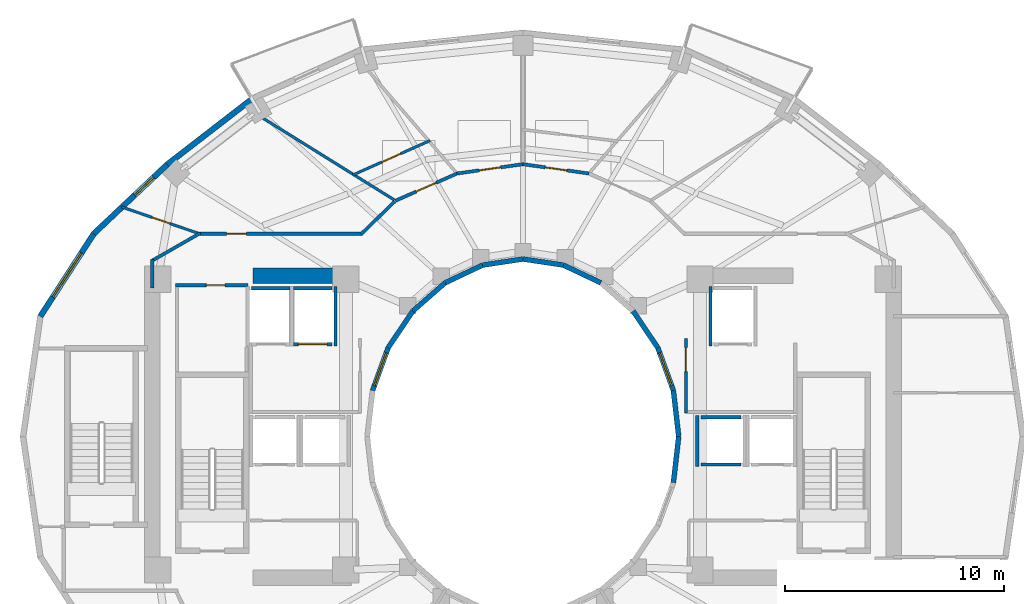
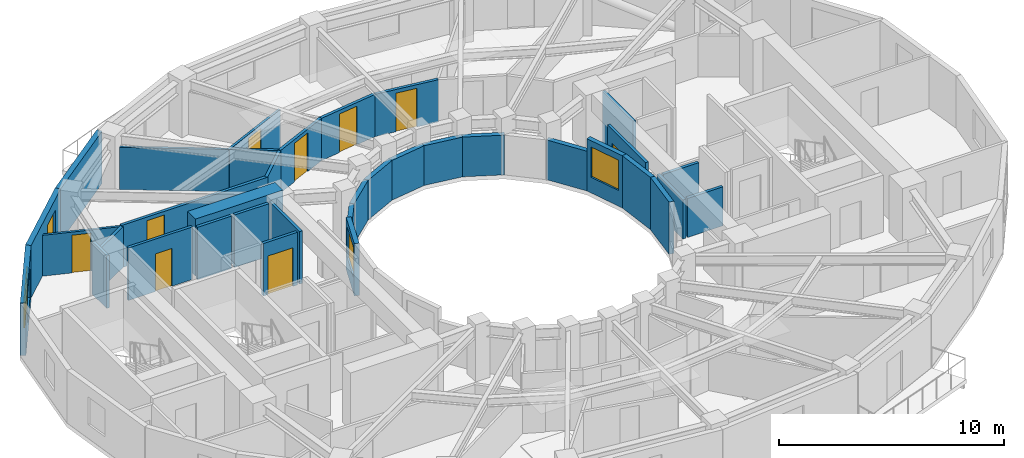
# One storey, part 5 of 10: 35 walls, 9 doors, 4 windows, 13 openings.
"""IFC4 building model written with IfcOpenShell, lengths in metres."""

from ifc_helpers import new_model, si_unit, direction, frame, frame_2d, origin, place, context, subcontext, project, spatial, rectangle, extrude, material, layer, layer_set, type_object, element, fill, save


model = new_model("IFC4")

# Units and contexts
model_context = context("Model", 3, precision=1e-05, world=origin(), true_north=direction((0.0, 1.0)))
body_context = subcontext(model_context, "Body", "Model", "MODEL_VIEW")
ifc_project = project(units=[si_unit("LENGTHUNIT", "METRE"), si_unit("AREAUNIT", "SQUARE_METRE"), si_unit("VOLUMEUNIT", "CUBIC_METRE"), si_unit("PLANEANGLEUNIT", "RADIAN"), si_unit("MASSUNIT", "GRAM", prefix="KILO")], contexts=[model_context])

# Site, building, storey
site_placement = place(None, origin())
site = spatial("IfcSite", under=ifc_project, at=site_placement, CompositionType="ELEMENT")
building_placement = place(site_placement, origin())
building = spatial("IfcBuilding", under=site, at=building_placement, Name="Solvane Sanctuary Tower", CompositionType="ELEMENT")
storey_placement = place(building_placement, frame((0.0, 0.0, 146.699951171875)))
storey = spatial("IfcBuildingStorey", under=building, at=storey_placement, Name="L44", CompositionType="ELEMENT", Elevation=146.699951171875)

# Wall
ifc_material_1 = material(Name="Concrete C60/75", Category="concrete")
ifc_layer_1 = layer(ifc_material_1, 0.699951171875, Name="Concrete C60/75")
ifc_layer_set_1 = layer_set([ifc_layer_1], Name="Concrete C60/75")
wall_type_1 = type_object("IfcWallType", Name="Wall W-CORE-700", PredefinedType="SHEAR", material=ifc_layer_set_1)
wall_1_placement = place(storey_placement, frame((19.64990234375, 30.35009765625, 0.0), z_axis=(0.0, 0.0, 1.0), x_axis=(1.0, 0.0, 0.0)))
element("IfcWall", 1, at=wall_1_placement, inside=storey, type_object=wall_type_1, Name="L44 Core Shear Wall WC-N", PredefinedType="SHEAR", context=body_context, shape_type="SweptSolid", body=[
    extrude(rectangle(XDim=4.5, YDim=0.699951171875, at=frame_2d((2.25, 0.0))), origin(), (0.0, 0.0, 1.0), 3.10009765625),
])

# Wall, opening, door
ifc_material_2 = material(Name="Acoustic Gypsum Partition Board")
ifc_layer_2 = layer(ifc_material_2, 0.14990234375, Name="Acoustic Gypsum Partition Board")
ifc_layer_set_2 = layer_set([ifc_layer_2], Name="Acoustic Gypsum Partition Board")
wall_type_2 = type_object("IfcWallType", Name="Wall W-CORR-150", PredefinedType="PARTITIONING", material=ifc_layer_set_2)
wall_2_placement = place(storey_placement, frame((39.449951171875, 24.080078125, 0.0), z_axis=(0.0, 0.0, 1.0), x_axis=(0.0, 1.0, 0.0)))
wall_2 = element("IfcWall", 2, at=wall_2_placement, inside=storey, type_object=wall_type_2, Name="L44 East Firefighting Lobby West Wall", PredefinedType="PARTITIONING", context=body_context, shape_type="SweptSolid", body=[
    extrude(rectangle(XDim=3.39990234375, YDim=0.14990234375, at=frame_2d((1.699951171875, 0.0))), origin(), (0.0, 0.0, 1.0), 2.85498046875),
])
opening_1_placement = place(wall_2_placement, frame((1.893798828125, 0.0, 0.0)))
opening_1 = element("IfcOpeningElement", 3, at=opening_1_placement, cuts=wall_2, Name="Opening D-L44-09", PredefinedType="OPENING", context=body_context, shape_type="SweptSolid", body=[
    extrude(rectangle(XDim=1.10009765625, YDim=2.10009765625, at=frame_2d((0.550048828125, 1.050048828125))), frame((0.0, 0.0849609375, 0.0), z_axis=(0.0, -1.0, 0.0), x_axis=(1.0, 0.0, 0.0)), (0.0, 0.0, 1.0), 0.169921875),
])
ifc_material_3 = material(Name="Architectural Stainless Steel 316", Category="steel")
door_type_1 = type_object("IfcDoorType", Name="Door D-FFL", OperationType="NOTDEFINED", PredefinedType="DOOR", material=ifc_material_3)
door_1_placement = place(opening_1_placement, origin())
door_1 = element("IfcDoor", 4, at=door_1_placement, inside=storey, type_object=door_type_1, Name="L44 East Firefighting Lobby Fire Door", OperationType="SINGLE_SWING_RIGHT", OverallHeight=2.10009765625, OverallWidth=1.10009765625, PredefinedType="DOOR", context=body_context, shape_type="SweptSolid", body=[
    extrude(rectangle(XDim=1.10009765625, YDim=2.10009765625, at=frame_2d((0.550048828125, 1.050048828125))), frame((0.0, 0.02490234375, 0.0), z_axis=(0.0, -1.0, 0.0), x_axis=(1.0, 0.0, 0.0)), (0.0, 0.0, 1.0), 0.050048828125),
])
fill(opening_1, door_1)

# Walls
wall_3_placement = place(storey_placement, frame((15.050048828125, 29.800048828125, 0.0), z_axis=(0.0, 0.0, 1.0), x_axis=(0.0, 1.0, 0.0)))
element("IfcWall", 5, at=wall_3_placement, inside=storey, type_object=wall_type_2, Name="L44 NW Corner Closer 2", PredefinedType="PARTITIONING", context=body_context, shape_type="SweptSolid", body=[
    extrude(rectangle(XDim=1.2900390625, YDim=0.14990234375, at=frame_2d((0.64501953125, 0.0))), origin(), (0.0, 0.0, 1.0), 2.85498046875),
])
wall_4_placement = place(storey_placement, frame((26.132568359375, 33.748779296875, 0.0), z_axis=(0.0, 0.0, 1.0), x_axis=(-0.717419568599, -0.696641344302, 0.0)))
element("IfcWall", 6, at=wall_4_placement, inside=storey, type_object=wall_type_2, Name="L44 NW Corner Throat Wall", PredefinedType="PARTITIONING", context=body_context, shape_type="SweptSolid", body=[
    extrude(rectangle(XDim=2.138427734375, YDim=0.14990234375, at=frame_2d((1.0693359375, 0.0))), origin(), (0.0, 0.0, 1.0), 2.299072265625),
])

# Wall, opening, door
wall_5_placement = place(storey_placement, frame((17.14990234375, 32.280029296875, 0.0), z_axis=(0.0, 0.0, 1.0), x_axis=(1.0, 0.0, 0.0)))
wall_5 = element("IfcWall", 7, at=wall_5_placement, inside=storey, type_object=wall_type_2, Name="L44 NW Corner Corridor Wall", PredefinedType="PARTITIONING", context=body_context, shape_type="SweptSolid", body=[
    extrude(rectangle(XDim=7.52001953125, YDim=0.14990234375, at=frame_2d((3.760009765625, 0.0))), origin(), (0.0, 0.0, 1.0), 2.299072265625),
])
opening_2_placement = place(wall_5_placement, frame((1.300048828125, 0.0, 0.0)))
opening_2 = element("IfcOpeningElement", 8, at=opening_2_placement, cuts=wall_5, Name="Opening D-L44-18", PredefinedType="OPENING", context=body_context, shape_type="SweptSolid", body=[
    extrude(rectangle(XDim=0.89990234375, YDim=2.10009765625, at=frame_2d((0.449951171875, 1.050048828125))), frame((0.0, 0.0849609375, 0.0), z_axis=(0.0, -1.0, 0.0), x_axis=(1.0, 0.0, 0.0)), (0.0, 0.0, 1.0), 0.169921875),
])
ifc_material_4 = material(Name="Engineered Tropical Hardwood", Category="wood")
door_type_2 = type_object("IfcDoorType", Name="Door D-WET-900", OperationType="NOTDEFINED", PredefinedType="DOOR", material=ifc_material_4)
door_2_placement = place(opening_2_placement, origin())
door_2 = element("IfcDoor", 9, at=door_2_placement, inside=storey, type_object=door_type_2, Name="L44 NW Corner Salon Door", OperationType="SINGLE_SWING_LEFT", OverallHeight=2.10009765625, OverallWidth=0.89990234375, PredefinedType="DOOR", context=body_context, shape_type="SweptSolid", body=[
    extrude(rectangle(XDim=0.89990234375, YDim=2.10009765625, at=frame_2d((0.449951171875, 1.050048828125))), frame((0.0, 0.02490234375, 0.0), z_axis=(0.0, -1.0, 0.0), x_axis=(1.0, 0.0, 0.0)), (0.0, 0.0, 1.0), 0.050048828125),
])
fill(opening_2, door_2)

# Wall
wall_6_placement = place(storey_placement, frame((17.243408203125, 32.3046875, 0.0), z_axis=(0.0, 0.0, 1.0), x_axis=(-0.867991349648, -0.496579315857, 0.0)))
element("IfcWall", 10, at=wall_6_placement, inside=storey, type_object=wall_type_2, Name="L44 NW Corner Wing Wall", PredefinedType="PARTITIONING", context=body_context, shape_type="SweptSolid", body=[
    extrude(rectangle(XDim=2.56689453125, YDim=0.14990234375, at=frame_2d((1.283447265625, 0.0))), origin(), (0.0, 0.0, 1.0), 2.219970703125),
])

# Wall, opening, door
wall_7_placement = place(storey_placement, frame((35.024658203125, 35.029296875, 0.0), z_axis=(0.0, 0.0, 1.0), x_axis=(-0.990243864279, 0.139345216129, 0.0)))
wall_7 = element("IfcWall", 11, at=wall_7_placement, inside=storey, type_object=wall_type_2, Name="L44 Unit Corridor Wall N2", PredefinedType="PARTITIONING", context=body_context, shape_type="SweptSolid", body=[
    extrude(rectangle(XDim=3.0625, YDim=0.14990234375, at=frame_2d((1.53125, 0.0))), origin(), (0.0, 0.0, 1.0), 2.299072265625),
])
opening_3_placement = place(wall_7_placement, frame((1.03125, 0.0, 0.0)))
opening_3 = element("IfcOpeningElement", 12, at=opening_3_placement, cuts=wall_7, Name="Opening D-L44-27", PredefinedType="OPENING", context=body_context, shape_type="SweptSolid", body=[
    extrude(rectangle(XDim=1.0, YDim=2.10009765625, at=frame_2d((0.5, 1.050048828125))), frame((0.0, 0.0849609375, 0.0), z_axis=(0.0, -1.0, 0.0), x_axis=(1.0, 0.0, 0.0)), (0.0, 0.0, 1.0), 0.169921875),
])
door_type_3 = type_object("IfcDoorType", Name="Door D-UNIT", OperationType="NOTDEFINED", PredefinedType="DOOR", material=ifc_material_4)
door_3_placement = place(opening_3_placement, origin())
door_3 = element("IfcDoor", 13, at=door_3_placement, inside=storey, type_object=door_type_3, Name="L44 Unit Entrance Door N2", OperationType="SINGLE_SWING_RIGHT", OverallHeight=2.10009765625, OverallWidth=1.0, PredefinedType="DOOR", context=body_context, shape_type="SweptSolid", body=[
    extrude(rectangle(XDim=1.0, YDim=2.10009765625, at=frame_2d((0.5, 1.050048828125))), frame((0.0, 0.02490234375, 0.0), z_axis=(0.0, -1.0, 0.0), x_axis=(1.0, 0.0, 0.0)), (0.0, 0.0, 1.0), 0.050048828125),
])
fill(opening_3, door_3)

wall_8_placement = place(storey_placement, frame((32.008056640625, 35.4560546875, 0.0), z_axis=(0.0, 0.0, 1.0), x_axis=(-0.990243864279, -0.139345216129, 0.0)))
wall_8 = element("IfcWall", 14, at=wall_8_placement, inside=storey, type_object=wall_type_2, Name="L44 Unit Corridor Wall N3", PredefinedType="PARTITIONING", context=body_context, shape_type="SweptSolid", body=[
    extrude(rectangle(XDim=3.0625, YDim=0.14990234375, at=frame_2d((1.53125, 0.0))), origin(), (0.0, 0.0, 1.0), 2.299072265625),
])
opening_4_placement = place(wall_8_placement, frame((1.03125, 0.0, 0.0)))
opening_4 = element("IfcOpeningElement", 15, at=opening_4_placement, cuts=wall_8, Name="Opening D-L44-28", PredefinedType="OPENING", context=body_context, shape_type="SweptSolid", body=[
    extrude(rectangle(XDim=1.0, YDim=2.10009765625, at=frame_2d((0.5, 1.050048828125))), frame((0.0, 0.0849609375, 0.0), z_axis=(0.0, -1.0, 0.0), x_axis=(1.0, 0.0, 0.0)), (0.0, 0.0, 1.0), 0.169921875),
])
door_4_placement = place(opening_4_placement, origin())
door_4 = element("IfcDoor", 16, at=door_4_placement, inside=storey, type_object=door_type_3, Name="L44 Unit Entrance Door N3", OperationType="SINGLE_SWING_LEFT", OverallHeight=2.10009765625, OverallWidth=1.0, PredefinedType="DOOR", context=body_context, shape_type="SweptSolid", body=[
    extrude(rectangle(XDim=1.0, YDim=2.10009765625, at=frame_2d((0.5, 1.050048828125))), frame((0.0, 0.02490234375, 0.0), z_axis=(0.0, -1.0, 0.0), x_axis=(1.0, 0.0, 0.0)), (0.0, 0.0, 1.0), 0.050048828125),
])
fill(opening_4, door_4)

wall_9_placement = place(storey_placement, frame((28.9912109375, 35.03369140625, 0.0), z_axis=(0.0, 0.0, 1.0), x_axis=(-0.91445214467, -0.404694051239, 0.0)))
wall_9 = element("IfcWall", 17, at=wall_9_placement, inside=storey, type_object=wall_type_2, Name="L44 Unit Corridor Wall N4", PredefinedType="PARTITIONING", context=body_context, shape_type="SweptSolid", body=[
    extrude(rectangle(XDim=3.090576171875, YDim=0.14990234375, at=frame_2d((1.54541015625, 0.0))), origin(), (0.0, 0.0, 1.0), 2.299072265625),
])
opening_5_placement = place(wall_9_placement, frame((1.04541015625, 0.0, 0.0)))
opening_5 = element("IfcOpeningElement", 18, at=opening_5_placement, cuts=wall_9, Name="Opening D-L44-30", PredefinedType="OPENING", context=body_context, shape_type="SweptSolid", body=[
    extrude(rectangle(XDim=1.0, YDim=2.10009765625, at=frame_2d((0.5, 1.050048828125))), frame((0.0, 0.0849609375, 0.0), z_axis=(0.0, -1.0, 0.0), x_axis=(1.0, 0.0, 0.0)), (0.0, 0.0, 1.0), 0.169921875),
])
door_5_placement = place(opening_5_placement, origin())
door_5 = element("IfcDoor", 19, at=door_5_placement, inside=storey, type_object=door_type_3, Name="L44 Unit Entrance Door N4", OperationType="SINGLE_SWING_LEFT", OverallHeight=2.10009765625, OverallWidth=1.0, PredefinedType="DOOR", context=body_context, shape_type="SweptSolid", body=[
    extrude(rectangle(XDim=1.0, YDim=2.10009765625, at=frame_2d((0.5, 1.050048828125))), frame((0.0, 0.02490234375, 0.0), z_axis=(0.0, -1.0, 0.0), x_axis=(1.0, 0.0, 0.0)), (0.0, 0.0, 1.0), 0.050048828125),
])
fill(opening_5, door_5)

# Wall
ifc_material_5 = material(Name="Precast concrete C40/50", Category="concrete")
ifc_layer_3 = layer(ifc_material_5, 0.260009765625, Name="Precast concrete C40/50")
ifc_layer_set_3 = layer_set([ifc_layer_3], Name="Precast concrete C40/50")
wall_type_3 = type_object("IfcWallType", Name="Wall W-EXT-250", PredefinedType="STANDARD", material=ifc_layer_set_3)
wall_10_placement = place(storey_placement, frame((19.5869140625, 38.41943359375, 0.0), z_axis=(0.0, 0.0, 1.0), x_axis=(-0.791460185804, -0.611220724687, 0.0)))
element("IfcWall", 20, at=wall_10_placement, inside=storey, type_object=wall_type_3, Name="L44 Ceramic-Printed Facade Wall 08", PredefinedType="STANDARD", context=body_context, shape_type="SweptSolid", body=[
    extrude(rectangle(XDim=4.872314453125, YDim=0.260009765625, at=frame_2d((2.43603515625, 0.0))), origin(), (0.0, 0.0, 1.0), 2.85009765625),
])

# Wall, opening, window
wall_11_placement = place(storey_placement, frame((15.730712890625, 35.44140625, 0.0), z_axis=(0.0, 0.0, 1.0), x_axis=(-0.727667301037, -0.68593024354, 0.0)))
wall_11 = element("IfcWall", 21, at=wall_11_placement, inside=storey, type_object=wall_type_3, Name="L44 Ceramic-Printed Facade Wall 09", PredefinedType="STANDARD", context=body_context, shape_type="SweptSolid", body=[
    extrude(rectangle(XDim=4.603515625, YDim=0.260009765625, at=frame_2d((2.3017578125, 0.0))), origin(), (0.0, 0.0, 1.0), 2.85009765625),
])
opening_6_placement = place(wall_11_placement, frame((0.843994140625, 0.0, 0.75)))
opening_6 = element("IfcOpeningElement", 22, at=opening_6_placement, cuts=wall_11, Name="Opening WN-OPER-1200", PredefinedType="OPENING", context=body_context, shape_type="SweptSolid", body=[
    extrude(rectangle(XDim=1.199951171875, YDim=1.5, at=frame_2d((0.60009765625, 0.75))), frame((0.0, 0.139892578125, 0.0), z_axis=(0.0, -1.0, 0.0), x_axis=(1.0, 0.0, 0.0)), (0.0, 0.0, 1.0), 0.280029296875),
])
ifc_material_6 = material(Name="Dark Ceramic-Fritted Low-E Glass", Category="glass")
window_type_1 = type_object("IfcWindowType", Name="Window WN-OPER-1200", PartitioningType="SINGLE_PANEL", PredefinedType="WINDOW", material=ifc_material_6)
window_1_placement = place(opening_6_placement, origin())
window_1 = element("IfcWindow", 23, at=window_1_placement, inside=storey, type_object=window_type_1, Name="L44 Operable Facade Window 09", OverallHeight=1.5, OverallWidth=1.199951171875, PartitioningType="SINGLE_PANEL", PredefinedType="WINDOW", context=body_context, shape_type="SweptSolid", body=[
    extrude(rectangle(XDim=1.199951171875, YDim=1.5, at=frame_2d((0.60009765625, 0.75))), frame((0.0, 0.030029296875, 0.0), z_axis=(0.0, -1.0, 0.0), x_axis=(1.0, 0.0, 0.0)), (0.0, 0.0, 1.0), 0.06005859375),
])
fill(opening_6, window_1)

wall_12_placement = place(storey_placement, frame((12.380859375, 32.28369140625, 0.0), z_axis=(0.0, 0.0, 1.0), x_axis=(-0.543358984534, -0.839500454989, 0.0)))
wall_12 = element("IfcWall", 24, at=wall_12_placement, inside=storey, type_object=wall_type_3, Name="L44 Ceramic-Printed Facade Wall 10", PredefinedType="STANDARD", context=body_context, shape_type="SweptSolid", body=[
    extrude(rectangle(XDim=4.51123046875, YDim=0.260009765625, at=frame_2d((2.255615234375, 0.0))), origin(), (0.0, 0.0, 1.0), 2.85009765625),
])
opening_7_placement = place(wall_12_placement, frame((1.0556640625, 0.0, 0.75)))
opening_7 = element("IfcOpeningElement", 25, at=opening_7_placement, cuts=wall_12, Name="Opening WN-RIB-2400", PredefinedType="OPENING", context=body_context, shape_type="SweptSolid", body=[
    extrude(rectangle(XDim=2.39990234375, YDim=1.699951171875, at=frame_2d((1.199951171875, 0.85009765625))), frame((0.0, 0.139892578125, 0.0), z_axis=(0.0, -1.0, 0.0), x_axis=(1.0, 0.0, 0.0)), (0.0, 0.0, 1.0), 0.280029296875),
])
window_type_2 = type_object("IfcWindowType", Name="Window WN-RIB-2400", PartitioningType="SINGLE_PANEL", PredefinedType="WINDOW", material=ifc_material_6)
window_2_placement = place(opening_7_placement, origin())
window_2 = element("IfcWindow", 26, at=window_2_placement, inside=storey, type_object=window_type_2, Name="L44 Operable Facade Window 10", OverallHeight=1.699951171875, OverallWidth=2.39990234375, PartitioningType="SINGLE_PANEL", PredefinedType="WINDOW", context=body_context, shape_type="SweptSolid", body=[
    extrude(rectangle(XDim=2.39990234375, YDim=1.699951171875, at=frame_2d((1.199951171875, 0.85009765625))), frame((0.0, 0.030029296875, 0.0), z_axis=(0.0, -1.0, 0.0), x_axis=(1.0, 0.0, 0.0)), (0.0, 0.0, 1.0), 0.06005859375),
])
fill(opening_7, window_2)

# Wall
ifc_layer_4 = layer(ifc_material_5, 0.22998046875, Name="Precast concrete C40/50")
ifc_layer_set_4 = layer_set([ifc_layer_4], Name="Precast concrete C40/50")
wall_type_4 = type_object("IfcWallType", Name="Wall W-EXT-SP220", PredefinedType="STANDARD", material=ifc_layer_set_4)
wall_13_placement = place(storey_placement, frame((39.1201171875, 23.0, 0.0), z_axis=(0.0, 0.0, 1.0), x_axis=(-0.114711713601, 0.993398823617, 0.0)))
element("IfcWall", 27, at=wall_13_placement, inside=storey, type_object=wall_type_4, Name="L44 Central Light-Well Wall 00", PredefinedType="STANDARD", context=body_context, shape_type="SweptSolid", body=[
    extrude(rectangle(XDim=2.115478515625, YDim=0.22998046875, at=frame_2d((1.0576171875, 0.0))), origin(), (0.0, 0.0, 1.0), 2.840087890625),
])

# Wall, opening, window
wall_14_placement = place(storey_placement, frame((38.87744140625, 25.1015625, 0.0), z_axis=(0.0, 0.0, 1.0), x_axis=(-0.341423187295, 0.93990968033, 0.0)))
wall_14 = element("IfcWall", 28, at=wall_14_placement, inside=storey, type_object=wall_type_4, Name="L44 Central Light-Well Wall 01", PredefinedType="STANDARD", context=body_context, shape_type="SweptSolid", body=[
    extrude(rectangle(XDim=2.083740234375, YDim=0.22998046875, at=frame_2d((1.0419921875, 0.0))), origin(), (0.0, 0.0, 1.0), 2.840087890625),
])
opening_8_placement = place(wall_14_placement, frame((0.24169921875, 0.0, 0.85009765625)))
opening_8 = element("IfcOpeningElement", 29, at=opening_8_placement, cuts=wall_14, Name="Opening WN-WELL-1600", PredefinedType="OPENING", context=body_context, shape_type="SweptSolid", body=[
    extrude(rectangle(XDim=1.60009765625, YDim=1.64990234375, at=frame_2d((0.800048828125, 0.824951171875))), frame((0.0, 0.125, 0.0), z_axis=(0.0, -1.0, 0.0), x_axis=(1.0, 0.0, 0.0)), (0.0, 0.0, 1.0), 0.25),
])
ifc_material_7 = material(Name="Clear Laminated Light-Well Glass", Category="glass")
window_type_3 = type_object("IfcWindowType", Name="Window WN-WELL-1600", PartitioningType="SINGLE_PANEL", PredefinedType="WINDOW", material=ifc_material_7)
window_3_placement = place(opening_8_placement, origin())
window_3 = element("IfcWindow", 30, at=window_3_placement, inside=storey, type_object=window_type_3, Name="L44 Light-Well Daylight Window 01", OverallHeight=1.64990234375, OverallWidth=1.60009765625, PartitioningType="SINGLE_PANEL", PredefinedType="WINDOW", context=body_context, shape_type="SweptSolid", body=[
    extrude(rectangle(XDim=1.60009765625, YDim=1.64990234375, at=frame_2d((0.800048828125, 0.824951171875))), frame((0.0, 0.030029296875, 0.0), z_axis=(0.0, -1.0, 0.0), x_axis=(1.0, 0.0, 0.0)), (0.0, 0.0, 1.0), 0.06005859375),
])
fill(opening_8, window_3)

# Walls
wall_15_placement = place(storey_placement, frame((38.166015625, 27.06005859375, 0.0), z_axis=(0.0, 0.0, 1.0), x_axis=(-0.558197800898, 0.829707909492, 0.0)))
element("IfcWall", 31, at=wall_15_placement, inside=storey, type_object=wall_type_4, Name="L44 Central Light-Well Wall 02", PredefinedType="STANDARD", context=body_context, shape_type="SweptSolid", body=[
    extrude(rectangle(XDim=2.02685546875, YDim=0.22998046875, at=frame_2d((1.013427734375, 0.0))), origin(), (0.0, 0.0, 1.0), 2.16015625),
])
wall_16_placement = place(storey_placement, frame((35.56005859375, 30.031982421875, 0.0), z_axis=(0.0, 0.0, 1.0), x_axis=(-0.904179699603, 0.427152280606, 0.0)))
element("IfcWall", 32, at=wall_16_placement, inside=storey, type_object=wall_type_4, Name="L44 Central Light-Well Wall 04", PredefinedType="STANDARD", context=body_context, shape_type="SweptSolid", body=[
    extrude(rectangle(XDim=1.899169921875, YDim=0.22998046875, at=frame_2d((0.94970703125, 0.0))), origin(), (0.0, 0.0, 1.0), 2.16015625),
])
for number, where, z_axis, x_axis, name in (
    (33, (33.8427734375, 30.84326171875, 0.0), (0.0, 0.0, 1.0), (-0.988901730308, 0.148571086668, 0.0), "L44 Central Light-Well Wall 05"),
    (34, (32.0, 31.1201171875, 0.0), (0.0, 0.0, 1.0), (-0.988901730308, -0.148571086668, 0.0), "L44 Central Light-Well Wall 06"),
):
    element("IfcWall", number, at=place(storey_placement, frame(where, z_axis=z_axis, x_axis=x_axis)), inside=storey, type_object=wall_type_4, Name=name, PredefinedType="STANDARD", context=body_context, shape_type="SweptSolid", body=[
        extrude(rectangle(XDim=1.863525390625, YDim=0.22998046875, at=frame_2d((0.931640625, 0.0))), origin(), (0.0, 0.0, 1.0), 2.16015625),
    ])
wall_17_placement = place(storey_placement, frame((30.1572265625, 30.84326171875, 0.0), z_axis=(0.0, 0.0, 1.0), x_axis=(-0.904179699603, -0.427152280606, 0.0)))
element("IfcWall", 35, at=wall_17_placement, inside=storey, type_object=wall_type_4, Name="L44 Central Light-Well Wall 07", PredefinedType="STANDARD", context=body_context, shape_type="SweptSolid", body=[
    extrude(rectangle(XDim=1.899169921875, YDim=0.22998046875, at=frame_2d((0.94970703125, 0.0))), origin(), (0.0, 0.0, 1.0), 2.16015625),
])
wall_18_placement = place(storey_placement, frame((28.43994140625, 30.031982421875, 0.0), z_axis=(0.0, 0.0, 1.0), x_axis=(-0.752576694707, -0.658504607869, 0.0)))
element("IfcWall", 36, at=wall_18_placement, inside=storey, type_object=wall_type_4, Name="L44 Central Light-Well Wall 08", PredefinedType="STANDARD", context=body_context, shape_type="SweptSolid", body=[
    extrude(rectangle(XDim=1.95947265625, YDim=0.22998046875, at=frame_2d((0.979736328125, 0.0))), origin(), (0.0, 0.0, 1.0), 2.16015625),
])
wall_19_placement = place(storey_placement, frame((26.96533203125, 28.74169921875, 0.0), z_axis=(0.0, 0.0, 1.0), x_axis=(-0.558197800898, -0.829707909492, 0.0)))
element("IfcWall", 37, at=wall_19_placement, inside=storey, type_object=wall_type_4, Name="L44 Central Light-Well Wall 09", PredefinedType="STANDARD", context=body_context, shape_type="SweptSolid", body=[
    extrude(rectangle(XDim=2.02685546875, YDim=0.22998046875, at=frame_2d((1.013427734375, 0.0))), origin(), (0.0, 0.0, 1.0), 2.16015625),
])

# Wall, opening, window
wall_20_placement = place(storey_placement, frame((25.833984375, 27.06005859375, 0.0), z_axis=(0.0, 0.0, 1.0), x_axis=(-0.341423187295, -0.93990968033, 0.0)))
wall_20 = element("IfcWall", 38, at=wall_20_placement, inside=storey, type_object=wall_type_4, Name="L44 Central Light-Well Wall 10", PredefinedType="STANDARD", context=body_context, shape_type="SweptSolid", body=[
    extrude(rectangle(XDim=2.083740234375, YDim=0.22998046875, at=frame_2d((1.0419921875, 0.0))), origin(), (0.0, 0.0, 1.0), 2.840087890625),
])
opening_9_placement = place(wall_20_placement, frame((0.24169921875, 0.0, 0.85009765625)))
opening_9 = element("IfcOpeningElement", 39, at=opening_9_placement, cuts=wall_20, Name="Opening WN-WELL-1600", PredefinedType="OPENING", context=body_context, shape_type="SweptSolid", body=[
    extrude(rectangle(XDim=1.60009765625, YDim=1.64990234375, at=frame_2d((0.800048828125, 0.824951171875))), frame((0.0, 0.125, 0.0), z_axis=(0.0, -1.0, 0.0), x_axis=(1.0, 0.0, 0.0)), (0.0, 0.0, 1.0), 0.25),
])
window_4_placement = place(opening_9_placement, origin())
window_4 = element("IfcWindow", 40, at=window_4_placement, inside=storey, type_object=window_type_3, Name="L44 Light-Well Daylight Window 10", OverallHeight=1.64990234375, OverallWidth=1.60009765625, PartitioningType="SINGLE_PANEL", PredefinedType="WINDOW", context=body_context, shape_type="SweptSolid", body=[
    extrude(rectangle(XDim=1.60009765625, YDim=1.64990234375, at=frame_2d((0.800048828125, 0.824951171875))), frame((0.0, 0.030029296875, 0.0), z_axis=(0.0, -1.0, 0.0), x_axis=(1.0, 0.0, 0.0)), (0.0, 0.0, 1.0), 0.06005859375),
])
fill(opening_9, window_4)

# Wall
wall_21_placement = place(storey_placement, frame((38.87744140625, 20.8984375, 0.0), z_axis=(0.0, 0.0, 1.0), x_axis=(0.114711713601, 0.993398823617, 0.0)))
element("IfcWall", 41, at=wall_21_placement, inside=storey, type_object=wall_type_4, Name="L44 Central Light-Well Wall 23", PredefinedType="STANDARD", context=body_context, shape_type="SweptSolid", body=[
    extrude(rectangle(XDim=2.115478515625, YDim=0.22998046875, at=frame_2d((1.0576171875, 0.0))), origin(), (0.0, 0.0, 1.0), 2.840087890625),
])

# Wall, opening, door
ifc_layer_5 = layer(ifc_material_2, 0.1201171875, Name="Acoustic Gypsum Partition Board")
ifc_layer_set_5 = layer_set([ifc_layer_5], Name="Acoustic Gypsum Partition Board")
wall_type_5 = type_object("IfcWallType", Name="Wall W-MOV-100", PredefinedType="MOVABLE", material=ifc_layer_set_5)
wall_22_placement = place(storey_placement, frame((17.247314453125, 32.263671875, 0.0), z_axis=(0.0, 0.0, 1.0), x_axis=(-0.945683523506, 0.325088716151, 0.0)))
wall_22 = element("IfcWall", 42, at=wall_22_placement, inside=storey, type_object=wall_type_5, Name="L44 NW Corner Suite Partition", PredefinedType="MOVABLE", context=body_context, shape_type="SweptSolid", body=[
    extrude(rectangle(XDim=3.812744140625, YDim=0.1201171875, at=frame_2d((1.90625, 0.0))), origin(), (0.0, 0.0, 1.0), 2.219970703125),
])
opening_10_placement = place(wall_22_placement, frame((1.4814453125, 0.0, 0.0)))
opening_10 = element("IfcOpeningElement", 43, at=opening_10_placement, cuts=wall_22, Name="Opening D-L44-17", PredefinedType="OPENING", context=body_context, shape_type="SweptSolid", body=[
    extrude(rectangle(XDim=0.85009765625, YDim=2.050048828125, at=frame_2d((0.425048828125, 1.02490234375))), frame((0.0, 0.070068359375, 0.0), z_axis=(0.0, -1.0, 0.0), x_axis=(1.0, 0.0, 0.0)), (0.0, 0.0, 1.0), 0.14013671875),
])
door_type_4 = type_object("IfcDoorType", Name="Door D-RISER", OperationType="NOTDEFINED", PredefinedType="DOOR", material=ifc_material_3)
door_6_placement = place(opening_10_placement, origin())
door_6 = element("IfcDoor", 44, at=door_6_placement, inside=storey, type_object=door_type_4, Name="L44 NW Corner Suite Door", OperationType="SINGLE_SWING_RIGHT", OverallHeight=2.050048828125, OverallWidth=0.85009765625, PredefinedType="DOOR", context=body_context, shape_type="SweptSolid", body=[
    extrude(rectangle(XDim=0.85009765625, YDim=2.050048828125, at=frame_2d((0.425048828125, 1.02490234375))), frame((0.0, 0.02490234375, 0.0), z_axis=(0.0, -1.0, 0.0), x_axis=(1.0, 0.0, 0.0)), (0.0, 0.0, 1.0), 0.050048828125),
])
fill(opening_10, door_6)

wall_23_placement = place(storey_placement, frame((27.747802734375, 36.534912109375, 0.0), z_axis=(0.0, 0.0, 1.0), x_axis=(-0.913405492862, -0.407050863665, 0.0)))
wall_23 = element("IfcWall", 45, at=wall_23_placement, inside=storey, type_object=wall_type_5, Name="L44 Suite Sitting Lounge Partition N4", PredefinedType="MOVABLE", context=body_context, shape_type="SweptSolid", body=[
    extrude(rectangle(XDim=3.8720703125, YDim=0.1201171875, at=frame_2d((1.93603515625, 0.0))), origin(), (0.0, 0.0, 1.0), 2.299072265625),
])
opening_11_placement = place(wall_23_placement, frame((1.4609375, 0.0, 0.0)))
opening_11 = element("IfcOpeningElement", 46, at=opening_11_placement, cuts=wall_23, Name="Opening D-L44-29", PredefinedType="OPENING", context=body_context, shape_type="SweptSolid", body=[
    extrude(rectangle(XDim=0.949951171875, YDim=2.10009765625, at=frame_2d((0.47509765625, 1.050048828125))), frame((0.0, 0.070068359375, 0.0), z_axis=(0.0, -1.0, 0.0), x_axis=(1.0, 0.0, 0.0)), (0.0, 0.0, 1.0), 0.14013671875),
])
door_type_5 = type_object("IfcDoorType", Name="Door D-ROOM-950", OperationType="NOTDEFINED", PredefinedType="DOOR", material=ifc_material_4)
door_7_placement = place(opening_11_placement, origin())
door_7 = element("IfcDoor", 47, at=door_7_placement, inside=storey, type_object=door_type_5, Name="L44 Suite Sitting Lounge Door N4", OperationType="SINGLE_SWING_RIGHT", OverallHeight=2.10009765625, OverallWidth=0.949951171875, PredefinedType="DOOR", context=body_context, shape_type="SweptSolid", body=[
    extrude(rectangle(XDim=0.949951171875, YDim=2.10009765625, at=frame_2d((0.47509765625, 1.050048828125))), frame((0.0, 0.02490234375, 0.0), z_axis=(0.0, -1.0, 0.0), x_axis=(1.0, 0.0, 0.0)), (0.0, 0.0, 1.0), 0.050048828125),
])
fill(opening_11, door_7)

# Walls
ifc_layer_6 = layer(ifc_material_2, 0.125, Name="Acoustic Gypsum Partition Board")
ifc_layer_set_6 = layer_set([ifc_layer_6], Name="Acoustic Gypsum Partition Board")
wall_type_6 = type_object("IfcWallType", Name="Wall W-PART-125", PredefinedType="PARTITIONING", material=ifc_layer_set_6)
wall_24_placement = place(storey_placement, frame((26.125244140625, 33.81640625, 0.0), z_axis=(0.0, 0.0, 1.0), x_axis=(-0.849008457073, 0.528379257559, 0.0)))
element("IfcWall", 48, at=wall_24_placement, inside=storey, type_object=wall_type_6, Name="L44 Radial Compartment Wall 120", PredefinedType="PARTITIONING", context=body_context, shape_type="SweptSolid", body=[
    extrude(rectangle(XDim=7.076904296875, YDim=0.125, at=frame_2d((3.53857421875, 0.0))), origin(), (0.0, 0.0, 1.0), 2.299072265625),
])
ifc_material_8 = material(Name="Concrete C50/60", Category="concrete")
ifc_layer_7 = layer(ifc_material_8, 0.14990234375, Name="Concrete C50/60")
ifc_layer_set_7 = layer_set([ifc_layer_7], Name="Concrete C50/60")
wall_type_7 = type_object("IfcWallType", Name="Wall W-SHAFT-150", PredefinedType="SOLIDWALL", material=ifc_layer_set_7)
for number, where, z_axis, x_axis, name in (
    (49, (40.139892578125, 21.719970703125, 0.0), (0.0, 0.0, 1.0), (1.0, 0.0, 0.0), "L44 PH-2 Lift Shaft Wall F"),
    (50, (40.139892578125, 23.8798828125, 0.0), (0.0, 0.0, 1.0), (1.0, 0.0, 0.0), "L44 PH-2 Lift Shaft Wall B"),
):
    element("IfcWall", number, at=place(storey_placement, frame(where, z_axis=z_axis, x_axis=x_axis)), inside=storey, type_object=wall_type_7, Name=name, PredefinedType="SOLIDWALL", context=body_context, shape_type="SweptSolid", body=[
        extrude(rectangle(XDim=1.820068359375, YDim=0.14990234375, at=frame_2d((0.91015625, 0.0))), origin(), (0.0, 0.0, 1.0), 2.1201171875),
    ])
wall_25_placement = place(storey_placement, frame((39.969970703125, 21.639892578125, 0.0), z_axis=(0.0, 0.0, 1.0), x_axis=(0.0, 1.0, 0.0)))
element("IfcWall", 51, at=wall_25_placement, inside=storey, type_object=wall_type_7, Name="L44 PH-2 Lift Shaft Wall S1", PredefinedType="SOLIDWALL", context=body_context, shape_type="SweptSolid", body=[
    extrude(rectangle(XDim=2.320068359375, YDim=0.14990234375, at=frame_2d((1.16015625, 0.0))), origin(), (0.0, 0.0, 1.0), 2.1201171875),
])
wall_26_placement = place(storey_placement, frame((19.590087890625, 29.780029296875, 0.0), z_axis=(0.0, 0.0, 1.0), x_axis=(1.0, 0.0, 0.0)))
element("IfcWall", 52, at=wall_26_placement, inside=storey, type_object=wall_type_7, Name="L44 FFL-1 Lift Shaft Wall B", PredefinedType="SOLIDWALL", context=body_context, shape_type="SweptSolid", body=[
    extrude(rectangle(XDim=1.760009765625, YDim=0.14990234375, at=frame_2d((0.8798828125, 0.0))), origin(), (0.0, 0.0, 1.0), 2.85498046875),
])

# Wall, opening, door
wall_27_placement = place(storey_placement, frame((21.5, 27.219970703125, 0.0), z_axis=(0.0, 0.0, 1.0), x_axis=(1.0, 0.0, 0.0)))
wall_27 = element("IfcWall", 53, at=wall_27_placement, inside=storey, type_object=wall_type_7, Name="L44 SVL-1 Lift Shaft Wall F", PredefinedType="SOLIDWALL", context=body_context, shape_type="SweptSolid", body=[
    extrude(rectangle(XDim=1.760009765625, YDim=0.14990234375, at=frame_2d((0.8798828125, 0.0))), origin(), (0.0, 0.0, 1.0), 2.85498046875),
])
opening_12_placement = place(wall_27_placement, frame((0.22998046875, 0.0, 0.0)))
opening_12 = element("IfcOpeningElement", 54, at=opening_12_placement, cuts=wall_27, Name="Opening LD-L44-04", PredefinedType="OPENING", context=body_context, shape_type="SweptSolid", body=[
    extrude(rectangle(XDim=1.300048828125, YDim=2.10009765625, at=frame_2d((0.64990234375, 1.050048828125))), frame((0.0, 0.0849609375, 0.0), z_axis=(0.0, -1.0, 0.0), x_axis=(1.0, 0.0, 0.0)), (0.0, 0.0, 1.0), 0.169921875),
])
door_type_6 = type_object("IfcDoorType", Name="Door LD-FFL-1300", OperationType="NOTDEFINED", PredefinedType="DOOR", material=ifc_material_3)
door_8_placement = place(opening_12_placement, origin())
door_8 = element("IfcDoor", 55, at=door_8_placement, inside=storey, type_object=door_type_6, Name="L44 SVL-1 Lift Landing Door", OperationType="DOUBLE_DOOR_SLIDING", OverallHeight=2.10009765625, OverallWidth=1.300048828125, PredefinedType="DOOR", context=body_context, shape_type="SweptSolid", body=[
    extrude(rectangle(XDim=1.300048828125, YDim=2.10009765625, at=frame_2d((0.64990234375, 1.050048828125))), frame((0.0, 0.02490234375, 0.0), z_axis=(0.0, -1.0, 0.0), x_axis=(1.0, 0.0, 0.0)), (0.0, 0.0, 1.0), 0.050048828125),
])
fill(opening_12, door_8)

# Walls
wall_28_placement = place(storey_placement, frame((21.5, 29.780029296875, 0.0), z_axis=(0.0, 0.0, 1.0), x_axis=(1.0, 0.0, 0.0)))
element("IfcWall", 56, at=wall_28_placement, inside=storey, type_object=wall_type_7, Name="L44 SVL-1 Lift Shaft Wall B", PredefinedType="SOLIDWALL", context=body_context, shape_type="SweptSolid", body=[
    extrude(rectangle(XDim=1.760009765625, YDim=0.14990234375, at=frame_2d((0.8798828125, 0.0))), origin(), (0.0, 0.0, 1.0), 2.85498046875),
])
for number, where, z_axis, x_axis, name in (
    (57, (23.429931640625, 27.139892578125, 0.0), (0.0, 0.0, 1.0), (0.0, 1.0, 0.0), "L44 SVL-1 Lift Shaft Wall S2"),
    (58, (40.570068359375, 27.139892578125, 0.0), (0.0, 0.0, 1.0), (0.0, 1.0, 0.0), "L44 FFL-2 Lift Shaft Wall S1"),
):
    element("IfcWall", number, at=place(storey_placement, frame(where, z_axis=z_axis, x_axis=x_axis)), inside=storey, type_object=wall_type_7, Name=name, PredefinedType="SOLIDWALL", context=body_context, shape_type="SweptSolid", body=[
        extrude(rectangle(XDim=2.72021484375, YDim=0.14990234375, at=frame_2d((1.360107421875, 0.0))), origin(), (0.0, 0.0, 1.0), 2.85498046875),
    ])

# Wall, opening, door
ifc_layer_8 = layer(ifc_material_2, 0.139892578125, Name="Acoustic Gypsum Partition Board")
ifc_layer_set_8 = layer_set([ifc_layer_8], Name="Acoustic Gypsum Partition Board")
wall_type_8 = type_object("IfcWallType", Name="Wall W-WET-140", PredefinedType="PLUMBINGWALL", material=ifc_layer_set_8)
wall_29_placement = place(storey_placement, frame((16.1201171875, 29.919921875, 0.0), z_axis=(0.0, 0.0, 1.0), x_axis=(1.0, 0.0, 0.0)))
wall_29 = element("IfcWall", 59, at=wall_29_placement, inside=storey, type_object=wall_type_8, Name="L44 Core Service Front Wall KW0", PredefinedType="PLUMBINGWALL", context=body_context, shape_type="SweptSolid", body=[
    extrude(rectangle(XDim=3.2998046875, YDim=0.139892578125, at=frame_2d((1.64990234375, 0.0))), origin(), (0.0, 0.0, 1.0), 2.85498046875),
])
opening_13_placement = place(wall_29_placement, frame((1.3994140625, 0.0, 0.0)))
opening_13 = element("IfcOpeningElement", 60, at=opening_13_placement, cuts=wall_29, Name="Opening D-L44-12", PredefinedType="OPENING", context=body_context, shape_type="SweptSolid", body=[
    extrude(rectangle(XDim=0.85009765625, YDim=2.050048828125, at=frame_2d((0.425048828125, 1.02490234375))), frame((0.0, 0.079833984375, 0.0), z_axis=(0.0, -1.0, 0.0), x_axis=(1.0, 0.0, 0.0)), (0.0, 0.0, 1.0), 0.159912109375),
])
door_9_placement = place(opening_13_placement, origin())
door_9 = element("IfcDoor", 61, at=door_9_placement, inside=storey, type_object=door_type_4, Name="L44 Core Service Room Door KW0-1", OperationType="SINGLE_SWING_LEFT", OverallHeight=2.050048828125, OverallWidth=0.85009765625, PredefinedType="DOOR", context=body_context, shape_type="SweptSolid", body=[
    extrude(rectangle(XDim=0.85009765625, YDim=2.050048828125, at=frame_2d((0.425048828125, 1.02490234375))), frame((0.0, 0.02490234375, 0.0), z_axis=(0.0, -1.0, 0.0), x_axis=(1.0, 0.0, 0.0)), (0.0, 0.0, 1.0), 0.050048828125),
])
fill(opening_13, door_9)

save(model, "model.ifc")
